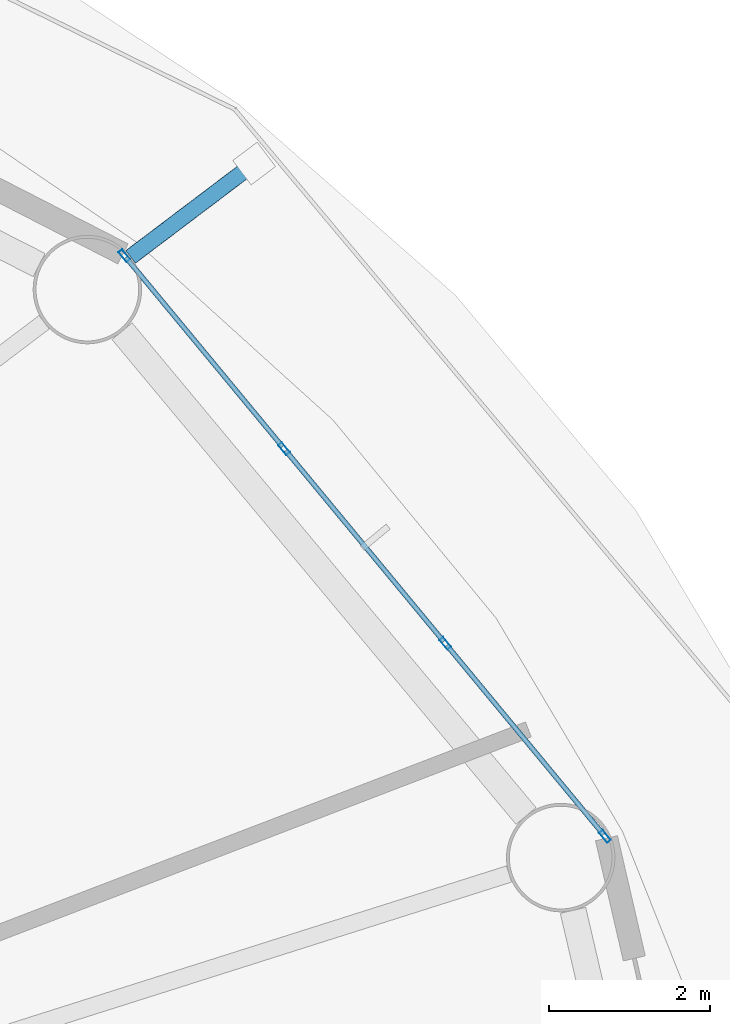
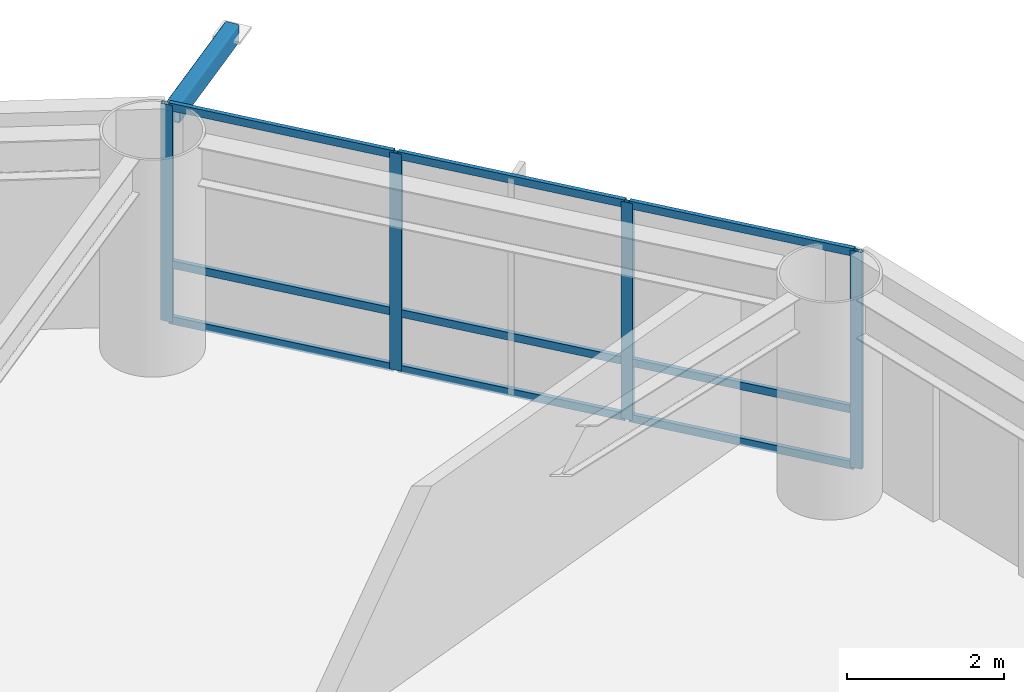
# One storey, part 12 of 24: 14 members, 1 element without a shape of its own.
"""IFC4 building model written with IfcOpenShell, lengths in metres."""

from ifc_helpers import new_model, si_unit, direction, frame, origin, origin_2d, place, context, subcontext, project, spatial, hollow_rectangle, extrude, material, layer, layer_set, material_profile, profile_set, type_object, element, aggregate, save


model = new_model("IFC4")

# Units and contexts
model_context = context("Model", 3, precision=1e-05, world=origin(), true_north=direction((0.0, 1.0)))
body_context = subcontext(model_context, "Body", "Model", "MODEL_VIEW")
ifc_project = project(units=[si_unit("LENGTHUNIT", "METRE"), si_unit("AREAUNIT", "SQUARE_METRE"), si_unit("VOLUMEUNIT", "CUBIC_METRE"), si_unit("PLANEANGLEUNIT", "RADIAN"), si_unit("MASSUNIT", "GRAM", prefix="KILO")], contexts=[model_context])

# Site, building, storey
site_placement = place(None, origin())
site = spatial("IfcSite", under=ifc_project, at=site_placement, CompositionType="ELEMENT")
building_placement = place(site_placement, origin())
building = spatial("IfcBuilding", under=site, at=building_placement, Name="Sarneth Arch Tower", CompositionType="ELEMENT")
storey_placement = place(building_placement, frame((0.0, 0.0, 127.199951171875)))
storey = spatial("IfcBuildingStorey", under=building, at=storey_placement, Name="L32", CompositionType="ELEMENT", Elevation=127.199951171875)

# Curtain wall, members
ifc_material_1 = material(Name="Anodised aluminium Type AA25 and solar-control low-e laminated IGU", Category="aluminium")
ifc_layer = layer(ifc_material_1, 0.159912109375)
ifc_layer_set = layer_set([ifc_layer], Name="Anodised aluminium Type AA25 and solar-control low-e laminated IGU")
curtain_wall_type = type_object("IfcCurtainWallType", Name="CW-HOTEL-MID", PredefinedType="NOTDEFINED", material=ifc_layer_set)
curtain_wall_placement = place(storey_placement, origin())
curtain_wall = element("IfcCurtainWall", 1, at=curtain_wall_placement, inside=storey, type_object=curtain_wall_type, Name="L32 Unitised curtain wall facet 02", PredefinedType="NOTDEFINED")
ifc_material_2 = material(Name="Anodised Aluminium 6063-T6", Category="aluminium")
ifc_material_profile_1 = material_profile(ifc_material_2, hollow_rectangle(XDim=0.06005859375, YDim=0.159912109375, WallThickness=0.00390625, at=origin_2d()), Name="AL-MULL-160x60x4")
ifc_profile_set_1 = profile_set([ifc_material_profile_1], Name="Anodised Aluminium 6063-T6")
member_type_1 = type_object("IfcMemberType", Name="CW-MULLION", PredefinedType="MULLION", material=ifc_profile_set_1)
member_1_placement = place(storey_placement, frame((74.84228515625, 50.606689453125, 0.0), z_axis=(0.0, 0.0, 1.0), x_axis=(-0.770437787363, -0.637515188684, 0.0)))
member_1 = element("IfcMember", 2, at=member_1_placement, type_object=member_type_1, Name="CW-SYS-4 mullion 1", PredefinedType="MULLION", context=body_context, shape_type="SweptSolid", body=[
    extrude(hollow_rectangle(XDim=0.06005859375, YDim=0.159912109375, WallThickness=0.00390625, at=origin_2d()), origin(), (0.0, 0.0, 1.0), 3.380126953125),
])
member_2_placement = place(storey_placement, frame((72.854248046875, 53.00927734375, 0.0), z_axis=(0.0, 0.0, 1.0), x_axis=(-0.770437787363, -0.637515188684, 0.0)))
member_2 = element("IfcMember", 3, at=member_2_placement, type_object=member_type_1, Name="CW-SYS-4 mullion 2", PredefinedType="MULLION", context=body_context, shape_type="SweptSolid", body=[
    extrude(hollow_rectangle(XDim=0.06005859375, YDim=0.159912109375, WallThickness=0.00390625, at=origin_2d()), origin(), (0.0, 0.0, 1.0), 3.380126953125),
])
member_3_placement = place(storey_placement, frame((70.84716796875, 55.434814453125, 0.0), z_axis=(0.0, 0.0, 1.0), x_axis=(-0.770437787363, -0.637515188684, 0.0)))
member_3 = element("IfcMember", 4, at=member_3_placement, type_object=member_type_1, Name="CW-SYS-4 mullion 3", PredefinedType="MULLION", context=body_context, shape_type="SweptSolid", body=[
    extrude(hollow_rectangle(XDim=0.06005859375, YDim=0.159912109375, WallThickness=0.00390625, at=origin_2d()), origin(), (0.0, 0.0, 1.0), 3.380126953125),
])
member_4_placement = place(storey_placement, frame((68.859130859375, 57.83740234375, 0.0), z_axis=(0.0, 0.0, 1.0), x_axis=(-0.770437787363, -0.637515188684, 0.0)))
member_4 = element("IfcMember", 5, at=member_4_placement, type_object=member_type_1, Name="CW-SYS-4 mullion 4", PredefinedType="MULLION", context=body_context, shape_type="SweptSolid", body=[
    extrude(hollow_rectangle(XDim=0.06005859375, YDim=0.159912109375, WallThickness=0.00390625, at=origin_2d()), origin(), (0.0, 0.0, 1.0), 3.380126953125),
])
ifc_material_3 = material(Name="Anodised Aluminium 6063-T6", Category="aluminium")
ifc_material_profile_2 = material_profile(ifc_material_3, hollow_rectangle(XDim=0.06005859375, YDim=0.1201171875, WallThickness=0.00390625, at=origin_2d()), Name="AL-TRAN-120x60x4")
ifc_profile_set_2 = profile_set([ifc_material_profile_2], Name="Anodised Aluminium 6063-T6")
member_type_2 = type_object("IfcMemberType", Name="CW-TRANSOM", PredefinedType="USERDEFINED", material=ifc_profile_set_2)
member_5_placement = place(storey_placement, frame((74.8232421875, 50.6298828125, 0.030029296875), z_axis=(-0.637566080343, 0.770395673142, 0.0), x_axis=(-0.770395673142, -0.637566080343, 0.0)))
member_5 = element("IfcMember", 6, at=member_5_placement, type_object=member_type_2, Name="CW-SYS-4 transom 1.1", ObjectType="TRANSOM", PredefinedType="USERDEFINED", context=body_context, shape_type="SweptSolid", body=[
    extrude(hollow_rectangle(XDim=0.06005859375, YDim=0.1201171875, WallThickness=0.00390625, at=origin_2d()), origin(), (0.0, 0.0, 1.0), 3.058349609375),
])
member_6_placement = place(storey_placement, frame((74.8232421875, 50.6298828125, 0.900146484375), z_axis=(-0.637566080343, 0.770395673142, 0.0), x_axis=(-0.770395673142, -0.637566080343, 0.0)))
member_6 = element("IfcMember", 7, at=member_6_placement, type_object=member_type_2, Name="CW-SYS-4 transom 1.2", ObjectType="TRANSOM", PredefinedType="USERDEFINED", context=body_context, shape_type="SweptSolid", body=[
    extrude(hollow_rectangle(XDim=0.06005859375, YDim=0.1201171875, WallThickness=0.00390625, at=origin_2d()), origin(), (0.0, 0.0, 1.0), 3.058349609375),
])
member_7_placement = place(storey_placement, frame((74.8232421875, 50.6298828125, 3.35009765625), z_axis=(-0.637566080343, 0.770395673142, 0.0), x_axis=(-0.770395673142, -0.637566080343, 0.0)))
member_7 = element("IfcMember", 8, at=member_7_placement, type_object=member_type_2, Name="CW-SYS-4 transom 1.3", ObjectType="TRANSOM", PredefinedType="USERDEFINED", context=body_context, shape_type="SweptSolid", body=[
    extrude(hollow_rectangle(XDim=0.06005859375, YDim=0.1201171875, WallThickness=0.00390625, at=origin_2d()), origin(), (0.0, 0.0, 1.0), 3.058349609375),
])
member_8_placement = place(storey_placement, frame((72.835205078125, 53.0322265625, 0.030029296875), z_axis=(-0.637536975021, 0.770419759275, 0.0), x_axis=(-0.770419759275, -0.637536975021, 0.0)))
member_8 = element("IfcMember", 9, at=member_8_placement, type_object=member_type_2, Name="CW-SYS-4 transom 2.1", ObjectType="TRANSOM", PredefinedType="USERDEFINED", context=body_context, shape_type="SweptSolid", body=[
    extrude(hollow_rectangle(XDim=0.06005859375, YDim=0.1201171875, WallThickness=0.00390625, at=origin_2d()), origin(), (0.0, 0.0, 1.0), 3.08837890625),
])
member_9_placement = place(storey_placement, frame((72.835205078125, 53.0322265625, 0.900146484375), z_axis=(-0.637536975021, 0.770419759275, 0.0), x_axis=(-0.770419759275, -0.637536975021, 0.0)))
member_9 = element("IfcMember", 10, at=member_9_placement, type_object=member_type_2, Name="CW-SYS-4 transom 2.2", ObjectType="TRANSOM", PredefinedType="USERDEFINED", context=body_context, shape_type="SweptSolid", body=[
    extrude(hollow_rectangle(XDim=0.06005859375, YDim=0.1201171875, WallThickness=0.00390625, at=origin_2d()), origin(), (0.0, 0.0, 1.0), 3.08837890625),
])
member_10_placement = place(storey_placement, frame((72.835205078125, 53.0322265625, 3.35009765625), z_axis=(-0.637536975021, 0.770419759275, 0.0), x_axis=(-0.770419759275, -0.637536975021, 0.0)))
member_10 = element("IfcMember", 11, at=member_10_placement, type_object=member_type_2, Name="CW-SYS-4 transom 2.3", ObjectType="TRANSOM", PredefinedType="USERDEFINED", context=body_context, shape_type="SweptSolid", body=[
    extrude(hollow_rectangle(XDim=0.06005859375, YDim=0.1201171875, WallThickness=0.00390625, at=origin_2d()), origin(), (0.0, 0.0, 1.0), 3.08837890625),
])
member_11_placement = place(storey_placement, frame((70.828125, 55.4580078125, 0.030029296875), z_axis=(-0.637566080343, 0.770395673142, 0.0), x_axis=(-0.770395673142, -0.637566080343, 0.0)))
member_11 = element("IfcMember", 12, at=member_11_placement, type_object=member_type_2, Name="CW-SYS-4 transom 3.1", ObjectType="TRANSOM", PredefinedType="USERDEFINED", context=body_context, shape_type="SweptSolid", body=[
    extrude(hollow_rectangle(XDim=0.06005859375, YDim=0.1201171875, WallThickness=0.00390625, at=origin_2d()), origin(), (0.0, 0.0, 1.0), 3.058349609375),
])
member_12_placement = place(storey_placement, frame((70.828125, 55.4580078125, 0.900146484375), z_axis=(-0.637566080343, 0.770395673142, 0.0), x_axis=(-0.770395673142, -0.637566080343, 0.0)))
member_12 = element("IfcMember", 13, at=member_12_placement, type_object=member_type_2, Name="CW-SYS-4 transom 3.2", ObjectType="TRANSOM", PredefinedType="USERDEFINED", context=body_context, shape_type="SweptSolid", body=[
    extrude(hollow_rectangle(XDim=0.06005859375, YDim=0.1201171875, WallThickness=0.00390625, at=origin_2d()), origin(), (0.0, 0.0, 1.0), 3.058349609375),
])
member_13_placement = place(storey_placement, frame((70.828125, 55.4580078125, 3.35009765625), z_axis=(-0.637566080343, 0.770395673142, 0.0), x_axis=(-0.770395673142, -0.637566080343, 0.0)))
member_13 = element("IfcMember", 14, at=member_13_placement, type_object=member_type_2, Name="CW-SYS-4 transom 3.3", ObjectType="TRANSOM", PredefinedType="USERDEFINED", context=body_context, shape_type="SweptSolid", body=[
    extrude(hollow_rectangle(XDim=0.06005859375, YDim=0.1201171875, WallThickness=0.00390625, at=origin_2d()), origin(), (0.0, 0.0, 1.0), 3.058349609375),
])
aggregate(curtain_wall, [member_1, member_2, member_3, member_4, member_5, member_6, member_7, member_8, member_9, member_10, member_11, member_12, member_13])

# Member
ifc_material_4 = material(Name="Steel S355", Category="steel")
ifc_material_profile_3 = material_profile(ifc_material_4, hollow_rectangle(XDim=0.199951171875, YDim=0.300048828125, WallThickness=0.012451171875, InnerFilletRadius=0.018798828125, OuterFilletRadius=0.03125, at=origin_2d()), Name="RHS300x200x12.5")
ifc_profile_set_3 = profile_set([ifc_material_profile_3], Name="Steel S355")
member_type_3 = type_object("IfcMemberType", Name="MEM-CANT-STRUT", PredefinedType="STRUT", material=ifc_profile_set_3)
member_14_placement = place(storey_placement, frame((68.936279296875, 57.822021484375, 3.219970703125), z_axis=(0.797806410392, 0.602913701567, 0.0), x_axis=(-0.602913701567, 0.797806410392, 0.0)))
element("IfcMember", 15, at=member_14_placement, inside=storey, type_object=member_type_3, Name="L32 Balcony cantilever bracket 03", PredefinedType="STRUT", context=body_context, shape_type="SweptSolid", body=[
    extrude(hollow_rectangle(XDim=0.199951171875, YDim=0.300048828125, WallThickness=0.012451171875, InnerFilletRadius=0.018798828125, OuterFilletRadius=0.03125, at=origin_2d()), origin(), (0.0, 0.0, 1.0), 1.927978515625),
])

save(model, "model.ifc")
